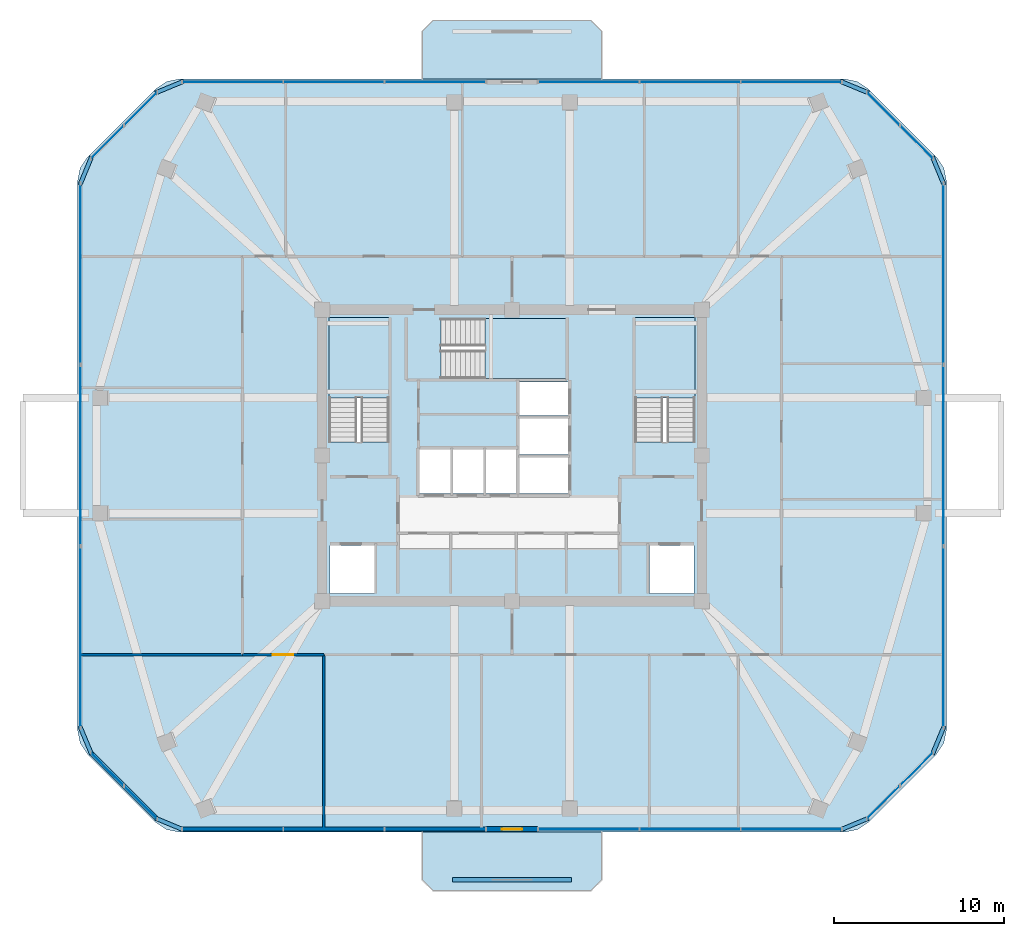
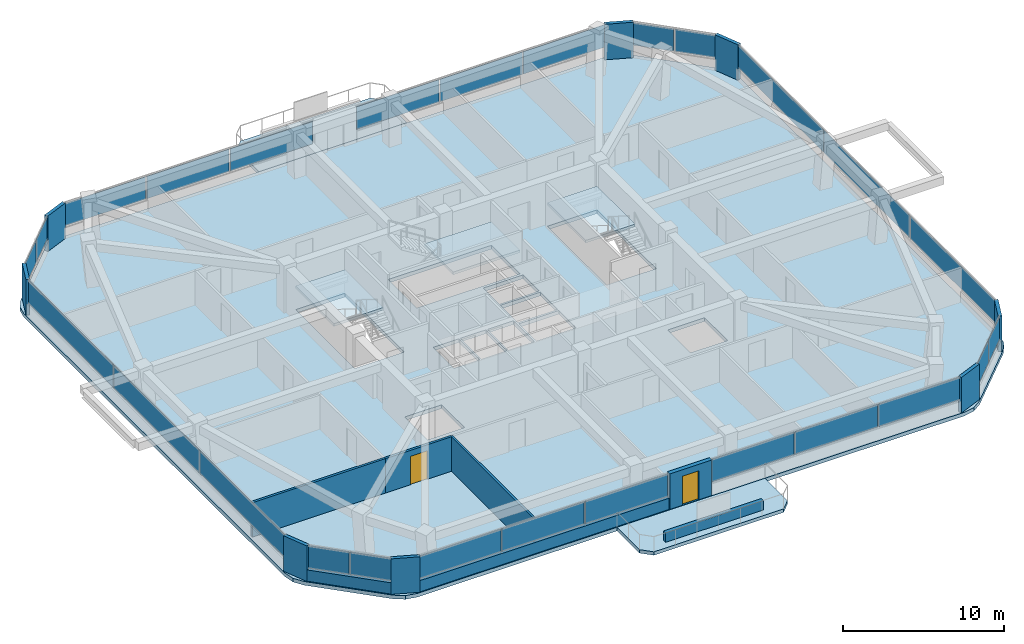
# One storey, part 7 of 12: 34 plates, 7 walls, 6 slabs, 2 doors, 2 openings, 13 elements without a shape of their own.
"""IFC4 building model written with IfcOpenShell, lengths in metres."""

from ifc_helpers import new_model, si_unit, derived_unit, direction, frame, frame_2d, origin, origin_2d, place, context, subcontext, project, spatial, polyline, rectangle, outline, extrude, material, layer, layer_set, type_object, element, fill, aggregate, save


model = new_model("IFC4")

# Units and contexts
model_context = context("Model", 3, precision=1e-05, world=origin(), true_north=direction((0.0, 1.0)))
body_context = subcontext(model_context, "Body", "Model", "MODEL_VIEW")
ifc_project = project(units=[si_unit("LENGTHUNIT", "METRE"), si_unit("AREAUNIT", "SQUARE_METRE"), si_unit("VOLUMEUNIT", "CUBIC_METRE"), si_unit("PLANEANGLEUNIT", "RADIAN"), si_unit("MASSUNIT", "GRAM", prefix="KILO"), derived_unit("THERMALTRANSMITTANCEUNIT", [(si_unit("POWERUNIT", "WATT"), 1), (si_unit("LENGTHUNIT", "METRE"), -2), (si_unit("THERMODYNAMICTEMPERATUREUNIT", "KELVIN"), -1)])], contexts=[model_context])

# Site, building, storey
site_placement = place(None, origin())
site = spatial("IfcSite", under=ifc_project, at=site_placement, CompositionType="ELEMENT")
building_placement = place(site_placement, origin())
building = spatial("IfcBuilding", under=site, at=building_placement, Name="Koralith Skygarden Medical Center", CompositionType="ELEMENT")
storey_placement = place(building_placement, frame((0.0, 0.0, 203.580078125)))
storey = spatial("IfcBuildingStorey", under=building, at=storey_placement, Name="L52", CompositionType="ELEMENT", Elevation=203.580078125)

# Curtain wall, plates
ifc_material_1 = material(Name="Clear Laminated Glass", Category="glass")
curtain_wall_type = type_object("IfcCurtainWallType", Name="CW-5 Zone 4 Flare Biophilic Curtain Wall", PredefinedType="NOTDEFINED", material=ifc_material_1)
curtain_wall_1_placement = place(storey_placement, origin())
curtain_wall_1 = element("IfcCurtainWall", 1, at=curtain_wall_1_placement, inside=storey, type_object=curtain_wall_type, Name="Curtain Wall CW-L52-S-L", PredefinedType="NOTDEFINED")
ifc_layer_1 = layer(ifc_material_1, 0.0380859375)
ifc_layer_set_1 = layer_set([ifc_layer_1], Name="Clear Laminated Glass")
plate_type_1 = type_object("IfcPlateType", Name="CW-5 Hurricane Laminated IGU Panel 38", PredefinedType="CURTAIN_PANEL", material=ifc_layer_set_1)
plate_1_placement = place(storey_placement, frame((20.513916015625, 3.85791015625, 0.919921875), z_axis=(0.0, 0.0, 1.0), x_axis=(1.0, 0.0, 0.0)))
plate_1 = element("IfcPlate", 2, at=plate_1_placement, type_object=plate_type_1, Name="CW-L52-S-L Glazed Panel 1", PredefinedType="CURTAIN_PANEL", context=body_context, shape_type="SweptSolid", body=[
    extrude(rectangle(XDim=5.887939453125, YDim=0.0380859375, at=origin_2d()), origin(), (0.0, 0.0, 1.0), 1.699951171875),
])
plate_2_placement = place(storey_placement, frame((26.491943359375, 3.85791015625, 0.919921875), z_axis=(0.0, 0.0, 1.0), x_axis=(1.0, 0.0, 0.0)))
plate_2 = element("IfcPlate", 3, at=plate_2_placement, type_object=plate_type_1, Name="CW-L52-S-L Glazed Panel 2", PredefinedType="CURTAIN_PANEL", context=body_context, shape_type="SweptSolid", body=[
    extrude(rectangle(XDim=5.887939453125, YDim=0.0380859375, at=origin_2d()), origin(), (0.0, 0.0, 1.0), 1.699951171875),
])
plate_3_placement = place(storey_placement, frame((32.470947265625, 3.85791015625, 0.919921875), z_axis=(0.0, 0.0, 1.0), x_axis=(1.0, 0.0, 0.0)))
plate_3 = element("IfcPlate", 4, at=plate_3_placement, type_object=plate_type_1, Name="CW-L52-S-L Glazed Panel 3", PredefinedType="CURTAIN_PANEL", context=body_context, shape_type="SweptSolid", body=[
    extrude(rectangle(XDim=5.887939453125, YDim=0.0380859375, at=origin_2d()), origin(), (0.0, 0.0, 1.0), 1.699951171875),
])
aggregate(curtain_wall_1, [plate_1, plate_2, plate_3])

curtain_wall_2_placement = place(storey_placement, origin())
curtain_wall_2 = element("IfcCurtainWall", 5, at=curtain_wall_2_placement, inside=storey, type_object=curtain_wall_type, Name="Curtain Wall CW-L52-S-R", PredefinedType="NOTDEFINED")
plate_4_placement = place(storey_placement, frame((41.529052734375, 3.85791015625, 0.919921875), z_axis=(0.0, 0.0, 1.0), x_axis=(1.0, 0.0, 0.0)))
plate_4 = element("IfcPlate", 6, at=plate_4_placement, type_object=plate_type_1, Name="CW-L52-S-R Glazed Panel 1", PredefinedType="CURTAIN_PANEL", context=body_context, shape_type="SweptSolid", body=[
    extrude(rectangle(XDim=5.887939453125, YDim=0.0380859375, at=origin_2d()), origin(), (0.0, 0.0, 1.0), 1.699951171875),
])
plate_5_placement = place(storey_placement, frame((47.508056640625, 3.85791015625, 0.919921875), z_axis=(0.0, 0.0, 1.0), x_axis=(1.0, 0.0, 0.0)))
plate_5 = element("IfcPlate", 7, at=plate_5_placement, type_object=plate_type_1, Name="CW-L52-S-R Glazed Panel 2", PredefinedType="CURTAIN_PANEL", context=body_context, shape_type="SweptSolid", body=[
    extrude(rectangle(XDim=5.887939453125, YDim=0.0380859375, at=origin_2d()), origin(), (0.0, 0.0, 1.0), 1.699951171875),
])
plate_6_placement = place(storey_placement, frame((53.486083984375, 3.85791015625, 0.919921875), z_axis=(0.0, 0.0, 1.0), x_axis=(1.0, 0.0, 0.0)))
plate_6 = element("IfcPlate", 8, at=plate_6_placement, type_object=plate_type_1, Name="CW-L52-S-R Glazed Panel 3", PredefinedType="CURTAIN_PANEL", context=body_context, shape_type="SweptSolid", body=[
    extrude(rectangle(XDim=5.887939453125, YDim=0.0380859375, at=origin_2d()), origin(), (0.0, 0.0, 1.0), 1.699951171875),
])
aggregate(curtain_wall_2, [plate_4, plate_5, plate_6])

curtain_wall_3_placement = place(storey_placement, origin())
curtain_wall_3 = element("IfcCurtainWall", 9, at=curtain_wall_3_placement, inside=storey, type_object=curtain_wall_type, Name="Curtain Wall CW-L52-SE", PredefinedType="NOTDEFINED")
plate_7_placement = place(storey_placement, frame((58.906982421875, 5.44091796875, 0.919921875), z_axis=(0.0, 0.0, 1.0), x_axis=(0.707106781187, 0.707106781187, 0.0)))
plate_7 = element("IfcPlate", 10, at=plate_7_placement, type_object=plate_type_1, Name="CW-L52-SE Glazed Panel 1", PredefinedType="CURTAIN_PANEL", context=body_context, shape_type="SweptSolid", body=[
    extrude(rectangle(XDim=2.68408203125, YDim=0.0380859375, at=origin_2d()), origin(), (0.0, 0.0, 1.0), 1.699951171875),
])
plate_8_placement = place(storey_placement, frame((60.867919921875, 7.402099609375, 0.919921875), z_axis=(0.0, 0.0, 1.0), x_axis=(0.707106781187, 0.707106781187, 0.0)))
plate_8 = element("IfcPlate", 11, at=plate_8_placement, type_object=plate_type_1, Name="CW-L52-SE Glazed Panel 2", PredefinedType="CURTAIN_PANEL", context=body_context, shape_type="SweptSolid", body=[
    extrude(rectangle(XDim=2.68408203125, YDim=0.0380859375, at=origin_2d()), origin(), (0.0, 0.0, 1.0), 1.699951171875),
])
aggregate(curtain_wall_3, [plate_7, plate_8])

curtain_wall_4_placement = place(storey_placement, origin())
curtain_wall_4 = element("IfcCurtainWall", 12, at=curtain_wall_4_placement, inside=storey, type_object=curtain_wall_type, Name="Curtain Wall CW-L52-E", PredefinedType="NOTDEFINED")
plate_9_placement = place(storey_placement, frame((62.450927734375, 15.18896484375, 0.919921875), z_axis=(0.0, 0.0, 1.0), x_axis=(0.0, 1.0, 0.0)))
plate_9 = element("IfcPlate", 13, at=plate_9_placement, type_object=plate_type_1, Name="CW-L52-E Glazed Panel 1", PredefinedType="CURTAIN_PANEL", context=body_context, shape_type="SweptSolid", body=[
    extrude(rectangle(XDim=10.62109375, YDim=0.0380859375, at=origin_2d()), origin(), (0.0, 0.0, 1.0), 1.699951171875),
])
plate_10_placement = place(storey_placement, frame((62.450927734375, 25.89990234375, 0.919921875), z_axis=(0.0, 0.0, 1.0), x_axis=(0.0, 1.0, 0.0)))
plate_10 = element("IfcPlate", 14, at=plate_10_placement, type_object=plate_type_1, Name="CW-L52-E Glazed Panel 2", PredefinedType="CURTAIN_PANEL", context=body_context, shape_type="SweptSolid", body=[
    extrude(rectangle(XDim=10.62109375, YDim=0.0380859375, at=origin_2d()), origin(), (0.0, 0.0, 1.0), 1.699951171875),
])
plate_11_placement = place(storey_placement, frame((62.450927734375, 36.611083984375, 0.919921875), z_axis=(0.0, 0.0, 1.0), x_axis=(0.0, 1.0, 0.0)))
plate_11 = element("IfcPlate", 15, at=plate_11_placement, type_object=plate_type_1, Name="CW-L52-E Glazed Panel 3", PredefinedType="CURTAIN_PANEL", context=body_context, shape_type="SweptSolid", body=[
    extrude(rectangle(XDim=10.62109375, YDim=0.0380859375, at=origin_2d()), origin(), (0.0, 0.0, 1.0), 1.699951171875),
])
aggregate(curtain_wall_4, [plate_9, plate_10, plate_11])

curtain_wall_5_placement = place(storey_placement, origin())
curtain_wall_5 = element("IfcCurtainWall", 16, at=curtain_wall_5_placement, inside=storey, type_object=curtain_wall_type, Name="Curtain Wall CW-L52-NE", PredefinedType="NOTDEFINED")
plate_12_placement = place(storey_placement, frame((60.867919921875, 44.39794921875, 0.919921875), z_axis=(0.0, 0.0, 1.0), x_axis=(-0.707106781187, 0.707106781187, 0.0)))
plate_12 = element("IfcPlate", 17, at=plate_12_placement, type_object=plate_type_1, Name="CW-L52-NE Glazed Panel 1", PredefinedType="CURTAIN_PANEL", context=body_context, shape_type="SweptSolid", body=[
    extrude(rectangle(XDim=2.68408203125, YDim=0.0380859375, at=origin_2d()), origin(), (0.0, 0.0, 1.0), 1.699951171875),
])
plate_13_placement = place(storey_placement, frame((58.906982421875, 46.35888671875, 0.919921875), z_axis=(0.0, 0.0, 1.0), x_axis=(-0.707106781187, 0.707106781187, 0.0)))
plate_13 = element("IfcPlate", 18, at=plate_13_placement, type_object=plate_type_1, Name="CW-L52-NE Glazed Panel 2", PredefinedType="CURTAIN_PANEL", context=body_context, shape_type="SweptSolid", body=[
    extrude(rectangle(XDim=2.68408203125, YDim=0.0380859375, at=origin_2d()), origin(), (0.0, 0.0, 1.0), 1.699951171875),
])
aggregate(curtain_wall_5, [plate_12, plate_13])

curtain_wall_6_placement = place(storey_placement, origin())
curtain_wall_6 = element("IfcCurtainWall", 19, at=curtain_wall_6_placement, inside=storey, type_object=curtain_wall_type, Name="Curtain Wall CW-L52-N-L", PredefinedType="NOTDEFINED")
plate_14_placement = place(storey_placement, frame((53.486083984375, 47.94091796875, 0.919921875), z_axis=(0.0, 0.0, 1.0), x_axis=(-1.0, 0.0, 0.0)))
plate_14 = element("IfcPlate", 20, at=plate_14_placement, type_object=plate_type_1, Name="CW-L52-N-L Glazed Panel 1", PredefinedType="CURTAIN_PANEL", context=body_context, shape_type="SweptSolid", body=[
    extrude(rectangle(XDim=5.887939453125, YDim=0.0380859375, at=origin_2d()), origin(), (0.0, 0.0, 1.0), 1.699951171875),
])
plate_15_placement = place(storey_placement, frame((47.508056640625, 47.94091796875, 0.919921875), z_axis=(0.0, 0.0, 1.0), x_axis=(-1.0, 0.0, 0.0)))
plate_15 = element("IfcPlate", 21, at=plate_15_placement, type_object=plate_type_1, Name="CW-L52-N-L Glazed Panel 2", PredefinedType="CURTAIN_PANEL", context=body_context, shape_type="SweptSolid", body=[
    extrude(rectangle(XDim=5.887939453125, YDim=0.0380859375, at=origin_2d()), origin(), (0.0, 0.0, 1.0), 1.699951171875),
])
plate_16_placement = place(storey_placement, frame((41.529052734375, 47.94091796875, 0.919921875), z_axis=(0.0, 0.0, 1.0), x_axis=(-1.0, 0.0, 0.0)))
plate_16 = element("IfcPlate", 22, at=plate_16_placement, type_object=plate_type_1, Name="CW-L52-N-L Glazed Panel 3", PredefinedType="CURTAIN_PANEL", context=body_context, shape_type="SweptSolid", body=[
    extrude(rectangle(XDim=5.887939453125, YDim=0.0380859375, at=origin_2d()), origin(), (0.0, 0.0, 1.0), 1.699951171875),
])
aggregate(curtain_wall_6, [plate_14, plate_15, plate_16])

curtain_wall_7_placement = place(storey_placement, origin())
curtain_wall_7 = element("IfcCurtainWall", 23, at=curtain_wall_7_placement, inside=storey, type_object=curtain_wall_type, Name="Curtain Wall CW-L52-N-R", PredefinedType="NOTDEFINED")
plate_17_placement = place(storey_placement, frame((32.470947265625, 47.94091796875, 0.919921875), z_axis=(0.0, 0.0, 1.0), x_axis=(-1.0, 0.0, 0.0)))
plate_17 = element("IfcPlate", 24, at=plate_17_placement, type_object=plate_type_1, Name="CW-L52-N-R Glazed Panel 1", PredefinedType="CURTAIN_PANEL", context=body_context, shape_type="SweptSolid", body=[
    extrude(rectangle(XDim=5.887939453125, YDim=0.0380859375, at=origin_2d()), origin(), (0.0, 0.0, 1.0), 1.699951171875),
])
plate_18_placement = place(storey_placement, frame((26.491943359375, 47.94091796875, 0.919921875), z_axis=(0.0, 0.0, 1.0), x_axis=(-1.0, 0.0, 0.0)))
plate_18 = element("IfcPlate", 25, at=plate_18_placement, type_object=plate_type_1, Name="CW-L52-N-R Glazed Panel 2", PredefinedType="CURTAIN_PANEL", context=body_context, shape_type="SweptSolid", body=[
    extrude(rectangle(XDim=5.887939453125, YDim=0.0380859375, at=origin_2d()), origin(), (0.0, 0.0, 1.0), 1.699951171875),
])
plate_19_placement = place(storey_placement, frame((20.513916015625, 47.94091796875, 0.919921875), z_axis=(0.0, 0.0, 1.0), x_axis=(-1.0, 0.0, 0.0)))
plate_19 = element("IfcPlate", 26, at=plate_19_placement, type_object=plate_type_1, Name="CW-L52-N-R Glazed Panel 3", PredefinedType="CURTAIN_PANEL", context=body_context, shape_type="SweptSolid", body=[
    extrude(rectangle(XDim=5.887939453125, YDim=0.0380859375, at=origin_2d()), origin(), (0.0, 0.0, 1.0), 1.699951171875),
])
aggregate(curtain_wall_7, [plate_17, plate_18, plate_19])

curtain_wall_8_placement = place(storey_placement, origin())
curtain_wall_8 = element("IfcCurtainWall", 27, at=curtain_wall_8_placement, inside=storey, type_object=curtain_wall_type, Name="Curtain Wall CW-L52-NW", PredefinedType="NOTDEFINED")
plate_20_placement = place(storey_placement, frame((15.093017578125, 46.35888671875, 0.919921875), z_axis=(0.0, 0.0, 1.0), x_axis=(-0.707106781187, -0.707106781187, 0.0)))
plate_20 = element("IfcPlate", 28, at=plate_20_placement, type_object=plate_type_1, Name="CW-L52-NW Glazed Panel 1", PredefinedType="CURTAIN_PANEL", context=body_context, shape_type="SweptSolid", body=[
    extrude(rectangle(XDim=2.68408203125, YDim=0.0380859375, at=origin_2d()), origin(), (0.0, 0.0, 1.0), 1.699951171875),
])
plate_21_placement = place(storey_placement, frame((13.132080078125, 44.39794921875, 0.919921875), z_axis=(0.0, 0.0, 1.0), x_axis=(-0.707106781187, -0.707106781187, 0.0)))
plate_21 = element("IfcPlate", 29, at=plate_21_placement, type_object=plate_type_1, Name="CW-L52-NW Glazed Panel 2", PredefinedType="CURTAIN_PANEL", context=body_context, shape_type="SweptSolid", body=[
    extrude(rectangle(XDim=2.68408203125, YDim=0.0380859375, at=origin_2d()), origin(), (0.0, 0.0, 1.0), 1.699951171875),
])
aggregate(curtain_wall_8, [plate_20, plate_21])

curtain_wall_9_placement = place(storey_placement, origin())
curtain_wall_9 = element("IfcCurtainWall", 30, at=curtain_wall_9_placement, inside=storey, type_object=curtain_wall_type, Name="Curtain Wall CW-L52-W", PredefinedType="NOTDEFINED")
plate_22_placement = place(storey_placement, frame((11.549072265625, 36.611083984375, 0.919921875), z_axis=(0.0, 0.0, 1.0), x_axis=(0.0, -1.0, 0.0)))
plate_22 = element("IfcPlate", 31, at=plate_22_placement, type_object=plate_type_1, Name="CW-L52-W Glazed Panel 1", PredefinedType="CURTAIN_PANEL", context=body_context, shape_type="SweptSolid", body=[
    extrude(rectangle(XDim=10.62109375, YDim=0.0380859375, at=origin_2d()), origin(), (0.0, 0.0, 1.0), 1.699951171875),
])
plate_23_placement = place(storey_placement, frame((11.549072265625, 25.89990234375, 0.919921875), z_axis=(0.0, 0.0, 1.0), x_axis=(0.0, -1.0, 0.0)))
plate_23 = element("IfcPlate", 32, at=plate_23_placement, type_object=plate_type_1, Name="CW-L52-W Glazed Panel 2", PredefinedType="CURTAIN_PANEL", context=body_context, shape_type="SweptSolid", body=[
    extrude(rectangle(XDim=10.62109375, YDim=0.0380859375, at=origin_2d()), origin(), (0.0, 0.0, 1.0), 1.699951171875),
])
plate_24_placement = place(storey_placement, frame((11.549072265625, 15.18896484375, 0.919921875), z_axis=(0.0, 0.0, 1.0), x_axis=(0.0, -1.0, 0.0)))
plate_24 = element("IfcPlate", 33, at=plate_24_placement, type_object=plate_type_1, Name="CW-L52-W Glazed Panel 3", PredefinedType="CURTAIN_PANEL", context=body_context, shape_type="SweptSolid", body=[
    extrude(rectangle(XDim=10.62109375, YDim=0.0380859375, at=origin_2d()), origin(), (0.0, 0.0, 1.0), 1.699951171875),
])
aggregate(curtain_wall_9, [plate_22, plate_23, plate_24])

curtain_wall_10_placement = place(storey_placement, origin())
curtain_wall_10 = element("IfcCurtainWall", 34, at=curtain_wall_10_placement, inside=storey, type_object=curtain_wall_type, Name="Curtain Wall CW-L52-SW", PredefinedType="NOTDEFINED")
plate_25_placement = place(storey_placement, frame((13.132080078125, 7.402099609375, 0.919921875), z_axis=(0.0, 0.0, 1.0), x_axis=(0.707106781187, -0.707106781187, 0.0)))
plate_25 = element("IfcPlate", 35, at=plate_25_placement, type_object=plate_type_1, Name="CW-L52-SW Glazed Panel 1", PredefinedType="CURTAIN_PANEL", context=body_context, shape_type="SweptSolid", body=[
    extrude(rectangle(XDim=2.68408203125, YDim=0.0380859375, at=origin_2d()), origin(), (0.0, 0.0, 1.0), 1.699951171875),
])
plate_26_placement = place(storey_placement, frame((15.093017578125, 5.44091796875, 0.919921875), z_axis=(0.0, 0.0, 1.0), x_axis=(0.707106781187, -0.707106781187, 0.0)))
plate_26 = element("IfcPlate", 36, at=plate_26_placement, type_object=plate_type_1, Name="CW-L52-SW Glazed Panel 2", PredefinedType="CURTAIN_PANEL", context=body_context, shape_type="SweptSolid", body=[
    extrude(rectangle(XDim=2.68408203125, YDim=0.0380859375, at=origin_2d()), origin(), (0.0, 0.0, 1.0), 1.699951171875),
])
aggregate(curtain_wall_10, [plate_25, plate_26])

# Slabs
ifc_material_2 = material(Name="Concrete C45/55", Category="concrete")
ifc_layer_2 = layer(ifc_material_2, 0.260009765625)
ifc_layer_set_2 = layer_set([ifc_layer_2], Name="Concrete C45/55")
slab_type_1 = type_object("IfcSlabType", Name="Cantilevered Planted Balcony Slab 260", PredefinedType="FLOOR", material=ifc_layer_set_2)
slab_1_placement = place(storey_placement, frame((0.0, 0.0, -0.260009765625)))
element("IfcSlab", 37, at=slab_1_placement, inside=storey, type_object=slab_type_1, Name="L52 N Planted Sky-Garden Balcony Slab", PredefinedType="FLOOR", context=body_context, shape_type="SweptSolid", body=[
    extrude(outline(polyline([(31.699951171875, 48.12109375), (42.300048828125, 48.12109375), (42.300048828125, 50.922119140625), (41.64990234375, 51.572021484375), (32.35009765625, 51.572021484375), (31.699951171875, 50.922119140625), (31.699951171875, 48.12109375)])), origin(), (0.0, 0.0, 1.0), 0.260009765625),
])
slab_2_placement = place(storey_placement, frame((0.0, 0.0, -0.260009765625)))
element("IfcSlab", 38, at=slab_2_placement, inside=storey, type_object=slab_type_1, Name="L52 S Planted Sky-Garden Balcony Slab", PredefinedType="FLOOR", context=body_context, shape_type="SweptSolid", body=[
    extrude(outline(polyline([(32.35009765625, 0.22802734375), (41.64990234375, 0.22802734375), (42.300048828125, 0.8779296875), (42.300048828125, 3.677978515625), (31.699951171875, 3.677978515625), (31.699951171875, 0.8779296875), (32.35009765625, 0.22802734375)])), origin(), (0.0, 0.0, 1.0), 0.260009765625),
])

# Stair, slab
stair_type = type_object("IfcStairType", Name="Core Exit Dogleg Concrete Stair", PredefinedType="HALF_TURN_STAIR", material=ifc_material_2)
stair_1_placement = place(storey_placement, origin())
stair_1 = element("IfcStair", 39, at=stair_1_placement, inside=storey, type_object=stair_type, Name="L52 Smokeproof Exit Stair ST1", PredefinedType="HALF_TURN_STAIR")
ifc_layer_3 = layer(ifc_material_2, 0.199951171875)
ifc_layer_set_3 = layer_set([ifc_layer_3], Name="Concrete C45/55")
slab_type_2 = type_object("IfcSlabType", Name="Core Exit Concrete Stair Landing 200", PredefinedType="LANDING", material=ifc_layer_set_3)
slab_3_placement = place(storey_placement, frame((0.0, 0.0, 1.599853515625)))
slab_3 = element("IfcSlab", 40, at=slab_3_placement, type_object=slab_type_2, Name="ST1 landing 1", PredefinedType="LANDING", context=body_context, shape_type="SweptSolid", body=[
    extrude(outline(polyline([(29.75, 29.31005859375), (29.75, 34.050048828125), (26.199951171875, 34.050048828125), (26.199951171875, 29.31005859375), (29.75, 29.31005859375)])), origin(), (0.0, 0.0, 1.0), 0.199951171875),
])
aggregate(stair_1, [slab_3])

stair_2_placement = place(storey_placement, origin())
stair_2 = element("IfcStair", 41, at=stair_2_placement, inside=storey, type_object=stair_type, Name="L52 Smokeproof Exit Stair ST2", PredefinedType="HALF_TURN_STAIR")
slab_4_placement = place(storey_placement, frame((0.0, 0.0, 1.599853515625)))
slab_4 = element("IfcSlab", 42, at=slab_4_placement, type_object=slab_type_2, Name="ST2 landing 1", PredefinedType="LANDING", context=body_context, shape_type="SweptSolid", body=[
    extrude(outline(polyline([(47.800048828125, 29.31005859375), (47.800048828125, 34.050048828125), (44.25, 34.050048828125), (44.25, 29.31005859375), (47.800048828125, 29.31005859375)])), origin(), (0.0, 0.0, 1.0), 0.199951171875),
])
aggregate(stair_2, [slab_4])

stair_3_placement = place(storey_placement, origin())
stair_3 = element("IfcStair", 43, at=stair_3_placement, inside=storey, type_object=stair_type, Name="L52 Smokeproof Exit Stair ST3", PredefinedType="HALF_TURN_STAIR")
slab_5_placement = place(storey_placement, frame((0.0, 0.0, 1.599853515625)))
slab_5 = element("IfcSlab", 44, at=slab_5_placement, type_object=slab_type_2, Name="ST3 landing 1", PredefinedType="LANDING", context=body_context, shape_type="SweptSolid", body=[
    extrude(outline(polyline([(35.409912109375, 30.449951171875), (40.199951171875, 30.449951171875), (40.199951171875, 34.0), (35.409912109375, 34.0), (35.409912109375, 30.449951171875)])), origin(), (0.0, 0.0, 1.0), 0.199951171875),
])
aggregate(stair_3, [slab_5])

# Slab
ifc_layer_4 = layer(ifc_material_2, 0.280029296875)
ifc_layer_set_4 = layer_set([ifc_layer_4], Name="Concrete C45/55")
slab_type_3 = type_object("IfcSlabType", Name="Post-Tensioned Ward Floor Plate 280", PredefinedType="FLOOR", material=ifc_layer_set_4)
slab_6_placement = place(storey_placement, frame((0.0, 0.0, -0.280029296875)))
element("IfcSlab", 45, at=slab_6_placement, inside=storey, type_object=slab_type_3, Name="Level L52 Structural Floor Slab", PredefinedType="FLOOR", context=body_context, shape_type="SweptSolid", body=[
    extrude(outline(polyline([(15.98388671875, 4.263916015625), (16.633056640625, 3.8310546875), (17.39794921875, 3.677978515625), (56.60205078125, 3.677978515625), (57.366943359375, 3.8310546875), (58.01611328125, 4.263916015625), (62.044921875, 8.29296875), (62.47802734375, 8.94189453125), (62.6298828125, 9.70703125), (62.6298828125, 42.093017578125), (62.47802734375, 42.85791015625), (62.044921875, 43.507080078125), (58.01611328125, 47.535888671875), (57.366943359375, 47.968994140625), (56.60205078125, 48.12109375), (17.39794921875, 48.12109375), (16.633056640625, 47.968994140625), (15.98388671875, 47.535888671875), (11.955078125, 43.507080078125), (11.52197265625, 42.85791015625), (11.368896484375, 42.093017578125), (11.368896484375, 9.70703125), (11.52197265625, 8.94189453125), (11.955078125, 8.29296875), (15.98388671875, 4.263916015625)]), holes=[polyline([(26.199951171875, 26.705078125), (29.75, 26.705078125), (29.75, 34.050048828125), (26.199951171875, 34.050048828125), (26.199951171875, 26.705078125)]), polyline([(44.25, 26.705078125), (47.800048828125, 26.705078125), (47.800048828125, 34.050048828125), (44.25, 34.050048828125), (44.25, 26.705078125)]), polyline([(32.804931640625, 30.449951171875), (40.199951171875, 30.449951171875), (40.199951171875, 34.0), (32.804931640625, 34.0), (32.804931640625, 30.449951171875)]), polyline([(26.25, 17.75), (28.89990234375, 17.75), (28.89990234375, 20.60009765625), (26.25, 20.60009765625), (26.25, 17.75)]), polyline([(45.10009765625, 17.75), (47.75, 17.75), (47.75, 20.60009765625), (45.10009765625, 20.60009765625), (45.10009765625, 17.75)]), polyline([(31.550048828125, 23.64990234375), (33.39990234375, 23.64990234375), (33.39990234375, 26.25), (31.550048828125, 26.25), (31.550048828125, 23.64990234375)]), polyline([(33.5, 23.64990234375), (35.35009765625, 23.64990234375), (35.35009765625, 26.25), (33.5, 26.25), (33.5, 23.64990234375)]), polyline([(35.449951171875, 23.64990234375), (37.300048828125, 23.64990234375), (37.300048828125, 26.25), (35.449951171875, 26.25), (35.449951171875, 23.64990234375)]), polyline([(37.449951171875, 23.64990234375), (40.300048828125, 23.64990234375), (40.300048828125, 25.800048828125), (37.449951171875, 25.800048828125), (37.449951171875, 23.64990234375)]), polyline([(37.449951171875, 25.949951171875), (40.300048828125, 25.949951171875), (40.300048828125, 28.10009765625), (37.449951171875, 28.10009765625), (37.449951171875, 25.949951171875)]), polyline([(37.449951171875, 28.25), (40.300048828125, 28.25), (40.300048828125, 30.25), (37.449951171875, 30.25), (37.449951171875, 28.25)])]), origin(), (0.0, 0.0, 1.0), 0.280029296875),
])

# Plates
ifc_material_3 = material(Name="Warm Oolitic Limestone Cladding", Category="masonry")
ifc_layer_5 = layer(ifc_material_3, 0.239990234375)
ifc_layer_set_5 = layer_set([ifc_layer_5], Name="Warm Oolitic Limestone Cladding")
plate_type_2 = type_object("IfcPlateType", Name="Rounded-Corner Oolitic Limestone Cladding Panel 240", PredefinedType="USERDEFINED", material=ifc_layer_set_5)
for number, where, z_axis, x_axis, name in (
    (46, (57.200927734375, 4.158935546875, 0.0), (0.0, 0.0, 1.0), (0.923659638286, 0.383213873184, 0.0), "L52 Rounded-Corner Limestone Pier 1"),
    (47, (62.14990234375, 9.10791015625, 0.0), (0.0, 0.0, 1.0), (0.383213873184, 0.923659638286, 0.0), "L52 Rounded-Corner Limestone Pier 2"),
    (48, (62.14990234375, 42.69189453125, 0.0), (0.0, 0.0, 1.0), (-0.383213873184, 0.923659638286, 0.0), "L52 Rounded-Corner Limestone Pier 3"),
    (49, (57.200927734375, 47.64111328125, 0.0), (0.0, 0.0, 1.0), (-0.92388487569, 0.382670532536, 0.0), "L52 Rounded-Corner Limestone Pier 4"),
    (50, (16.800048828125, 47.64111328125, 0.0), (0.0, 0.0, 1.0), (-0.92388487569, -0.382670532536, 0.0), "L52 Rounded-Corner Limestone Pier 5"),
    (51, (11.85009765625, 42.69189453125, 0.0), (0.0, 0.0, 1.0), (-0.383213873184, -0.923659638286, 0.0), "L52 Rounded-Corner Limestone Pier 6"),
    (52, (11.85009765625, 9.10791015625, 0.0), (0.0, 0.0, 1.0), (0.383213873184, -0.923659638286, 0.0), "L52 Rounded-Corner Limestone Pier 7"),
    (53, (16.800048828125, 4.158935546875, 0.0), (0.0, 0.0, 1.0), (0.923659638286, -0.383213873184, 0.0), "L52 Rounded-Corner Limestone Pier 8"),
):
    element("IfcPlate", number, at=place(storey_placement, frame(where, z_axis=z_axis, x_axis=x_axis)), inside=storey, type_object=plate_type_2, Name=name, ObjectType="LIMESTONE CLADDING", PredefinedType="USERDEFINED", context=body_context, shape_type="SweptSolid", body=[
        extrude(rectangle(XDim=1.81103515625, YDim=0.239990234375, at=origin_2d()), origin(), (0.0, 0.0, 1.0), 2.68994140625),
    ])

# Walls
ifc_material_4 = material(Name="Gypsum Board Partition")
ifc_layer_6 = layer(ifc_material_4, 0.14990234375)
ifc_layer_set_6 = layer_set([ifc_layer_6], Name="Gypsum Board Partition")
wall_type_1 = type_object("IfcWallType", Name="Clinical Acoustic Partition 150", PredefinedType="PARTITIONING", material=ifc_layer_set_6)
wall_1_placement = place(storey_placement, frame((25.89794921875, 14.14990234375, 0.0), z_axis=(0.0, 0.0, 1.0), x_axis=(0.0, -1.0, 0.0)))
element("IfcWall", 54, at=wall_1_placement, inside=storey, type_object=wall_type_1, Name="L52 Clinical Acoustic Partition 150 W-PART-L52-S-01", PredefinedType="PARTITIONING", context=body_context, shape_type="SweptSolid", body=[
    extrude(rectangle(XDim=10.27197265625, YDim=0.14990234375, at=frame_2d((5.135986328125, 0.0))), origin(), (0.0, 0.0, 1.0), 2.60986328125),
])
ifc_layer_7 = layer(ifc_material_4, 0.1650390625)
ifc_layer_set_7 = layer_set([ifc_layer_7], Name="Gypsum Board Partition")
wall_type_2 = type_object("IfcWallType", Name="Clinical Corridor Partition 165", PredefinedType="PARTITIONING", material=ifc_layer_set_7)
wall_2_placement = place(storey_placement, frame((11.569091796875, 14.14990234375, 0.0), z_axis=(0.0, 0.0, 1.0), x_axis=(1.0, 0.0, 0.0)))
element("IfcWall", 55, at=wall_2_placement, inside=storey, type_object=wall_type_2, Name="L52 Clinical Corridor Partition 165 W-WB-L52-SW", PredefinedType="PARTITIONING", context=body_context, shape_type="SweptSolid", body=[
    extrude(rectangle(XDim=9.531005859375, YDim=0.1650390625, at=frame_2d((4.765625, 0.0))), origin(), (0.0, 0.0, 1.0), 2.60986328125),
])

# Wall, opening, door
wall_3_placement = place(storey_placement, frame((21.10009765625, 14.14990234375, 0.0), z_axis=(0.0, 0.0, 1.0), x_axis=(1.0, 0.0, 0.0)))
wall_3 = element("IfcWall", 56, at=wall_3_placement, inside=storey, type_object=wall_type_2, Name="L52 Clinical Corridor Partition 165 W-CORR-L52-S-01", PredefinedType="PARTITIONING", context=body_context, shape_type="SweptSolid", body=[
    extrude(rectangle(XDim=4.7978515625, YDim=0.1650390625, at=frame_2d((2.39892578125, 0.0))), origin(), (0.0, 0.0, 1.0), 2.60986328125),
])
opening_1_placement = place(wall_3_placement, frame((1.799072265625, 0.0, 0.0)))
opening_1 = element("IfcOpeningElement", 57, at=opening_1_placement, cuts=wall_3, Name="Opening D-CLN", PredefinedType="OPENING", context=body_context, shape_type="SweptSolid", body=[
    extrude(rectangle(XDim=1.199951171875, YDim=2.14990234375, at=frame_2d((0.60009765625, 1.074951171875))), frame((0.0, 0.092529296875, 0.0), z_axis=(0.0, -1.0, 0.0), x_axis=(1.0, 0.0, 0.0)), (0.0, 0.0, 1.0), 0.18505859375),
])
ifc_material_5 = material(Name="Aluminium 6063-T6", Category="aluminium")
door_type_1 = type_object("IfcDoorType", Name="Clinical Corridor Door D-CLN 1200", OperationType="NOTDEFINED", PredefinedType="DOOR", material=ifc_material_5)
door_1_placement = place(opening_1_placement, frame((1.199951171875, 0.0, 0.0), z_axis=(0.0, 0.0, 1.0), x_axis=(-1.0, 0.0, 0.0)))
door_1 = element("IfcDoor", 58, at=door_1_placement, inside=storey, type_object=door_type_1, Name="L52 Cardiology Fellows Office 06 Door", OperationType="SINGLE_SWING_LEFT", OverallHeight=2.14990234375, OverallWidth=1.199951171875, PredefinedType="DOOR", context=body_context, shape_type="SweptSolid", body=[
    extrude(rectangle(XDim=1.199951171875, YDim=2.14990234375, at=frame_2d((0.60009765625, 1.074951171875))), frame((0.0, 0.02490234375, 0.0), z_axis=(0.0, -1.0, 0.0), x_axis=(1.0, 0.0, 0.0)), (0.0, 0.0, 1.0), 0.050048828125),
])
fill(opening_1, door_1)

# Walls
ifc_layer_8 = layer(ifc_material_3, 0.239990234375)
ifc_layer_set_8 = layer_set([ifc_layer_8], Name="Warm Oolitic Limestone Cladding")
wall_type_3 = type_object("IfcWallType", Name="Limestone Spandrel Sill Backup Wall 240", PredefinedType="SOLIDWALL", material=ifc_layer_set_8)
wall_4_placement = place(storey_placement, frame((17.52490234375, 3.85791015625, 0.0), z_axis=(0.0, 0.0, 1.0), x_axis=(1.0, 0.0, 0.0)))
element("IfcWall", 59, at=wall_4_placement, inside=storey, type_object=wall_type_3, Name="L52 Sill Spandrel S-L", PredefinedType="SOLIDWALL", context=body_context, shape_type="SweptSolid", body=[
    extrude(rectangle(XDim=17.93505859375, YDim=0.239990234375, at=frame_2d((8.967529296875, 0.0))), origin(), (0.0, 0.0, 1.0), 0.849853515625),
])
wall_5_placement = place(storey_placement, frame((12.15087890625, 8.383056640625, 0.0), z_axis=(0.0, 0.0, 1.0), x_axis=(0.707106781187, -0.707106781187, 0.0)))
element("IfcWall", 60, at=wall_5_placement, inside=storey, type_object=wall_type_3, Name="L52 Sill Spandrel SW", PredefinedType="SOLIDWALL", context=body_context, shape_type="SweptSolid", body=[
    extrude(rectangle(XDim=5.548095703125, YDim=0.239990234375, at=frame_2d((2.77392578125, 0.0))), origin(), (0.0, 0.0, 1.0), 0.849853515625),
])

# Wall, opening, door
ifc_layer_9 = layer(ifc_material_3, 0.300048828125)
ifc_layer_set_9 = layer_set([ifc_layer_9], Name="Warm Oolitic Limestone Cladding")
wall_type_4 = type_object("IfcWallType", Name="Oolitic Limestone Insulated Facade Wall 300", PredefinedType="SOLIDWALL", material=ifc_layer_set_9)
wall_6_placement = place(storey_placement, frame((35.5, 3.85791015625, 0.0), z_axis=(0.0, 0.0, 1.0), x_axis=(1.0, 0.0, 0.0)))
wall_6 = element("IfcWall", 61, at=wall_6_placement, inside=storey, type_object=wall_type_4, Name="L52 Terrace Portal Wall S", PredefinedType="SOLIDWALL", context=body_context, shape_type="SweptSolid", body=[
    extrude(rectangle(XDim=3.0, YDim=0.300048828125, at=frame_2d((1.5, 0.0))), origin(), (0.0, 0.0, 1.0), 2.68994140625),
])
opening_2_placement = place(wall_6_placement, frame((0.89990234375, 0.0, 0.0)))
opening_2 = element("IfcOpeningElement", 62, at=opening_2_placement, cuts=wall_6, Name="Opening D-BAL", PredefinedType="OPENING", context=body_context, shape_type="SweptSolid", body=[
    extrude(rectangle(XDim=1.199951171875, YDim=2.199951171875, at=frame_2d((0.60009765625, 1.10009765625))), frame((0.0, 0.159912109375, 0.0), z_axis=(0.0, -1.0, 0.0), x_axis=(1.0, 0.0, 0.0)), (0.0, 0.0, 1.0), 0.320068359375),
])
door_type_2 = type_object("IfcDoorType", Name="Planted Balcony Glazed Terrace Door D-BAL 1200", OperationType="NOTDEFINED", PredefinedType="DOOR", material=ifc_material_5)
door_2_placement = place(opening_2_placement, origin())
door_2 = element("IfcDoor", 63, at=door_2_placement, inside=storey, type_object=door_type_2, Name="L52 S Outdoor Terrace Access Door", OperationType="SINGLE_SWING_LEFT", OverallHeight=2.199951171875, OverallWidth=1.199951171875, PredefinedType="DOOR", context=body_context, shape_type="SweptSolid", body=[
    extrude(rectangle(XDim=1.199951171875, YDim=2.199951171875, at=frame_2d((0.60009765625, 1.10009765625))), frame((0.0, 0.02490234375, 0.0), z_axis=(0.0, -1.0, 0.0), x_axis=(1.0, 0.0, 0.0)), (0.0, 0.0, 1.0), 0.050048828125),
])
fill(opening_2, door_2)

# Wall
ifc_material_6 = material(Name="Precast concrete C40/50", Category="concrete")
ifc_layer_10 = layer(ifc_material_6, 0.25)
ifc_layer_set_10 = layer_set([ifc_layer_10], Name="Precast concrete C40/50")
wall_type_5 = type_object("IfcWallType", Name="Structural Concrete Balcony Planter Kerb 250", PredefinedType="PARAPET", material=ifc_layer_set_10)
wall_7_placement = place(storey_placement, frame((33.5, 0.8779296875, 0.0), z_axis=(0.0, 0.0, 1.0), x_axis=(1.0, 0.0, 0.0)))
element("IfcWall", 64, at=wall_7_placement, inside=storey, type_object=wall_type_5, Name="L52 S Structural Tree PLANTER Box", PredefinedType="PARAPET", context=body_context, shape_type="SweptSolid", body=[
    extrude(rectangle(XDim=7.0, YDim=0.25, at=frame_2d((3.5, 0.0))), origin(), (0.0, 0.0, 1.0), 0.719970703125),
])

save(model, "model.ifc")
